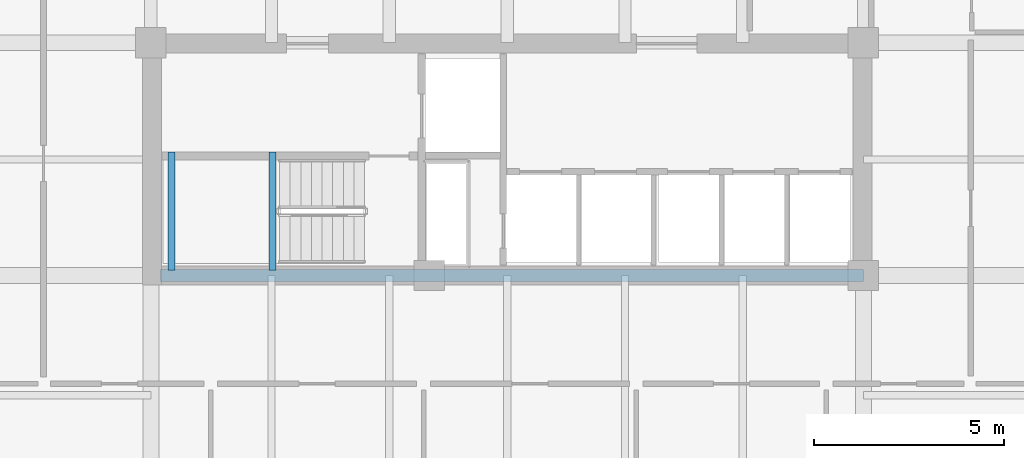
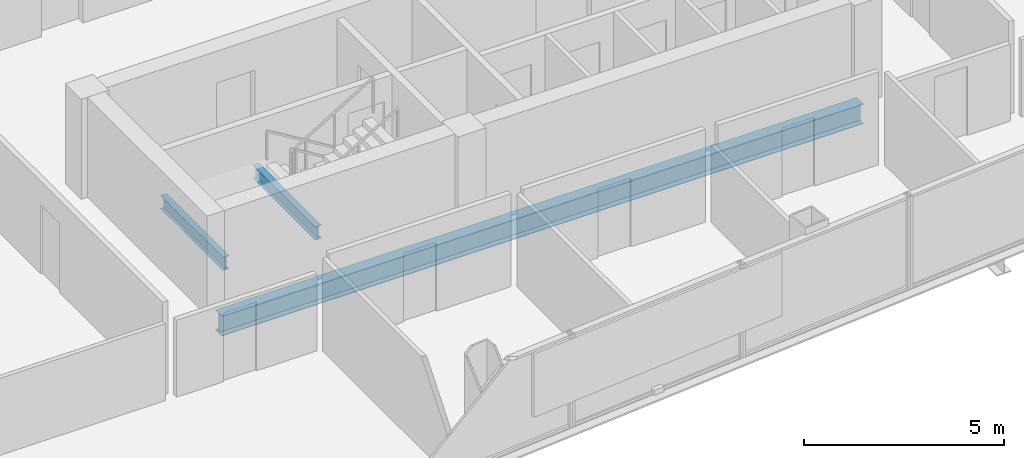
# One storey, part 5 of 22: 3 beams.
"""IFC4 building model written with IfcOpenShell, lengths in metres."""

from ifc_helpers import new_model, si_unit, direction, frame, origin, origin_2d, place, context, subcontext, project, spatial, i_section, extrude, material, material_profile, profile_set, type_object, element, save


model = new_model("IFC4")

# Units and contexts
model_context = context("Model", 3, precision=1e-05, world=origin(), true_north=direction((0.0, 1.0)))
body_context = subcontext(model_context, "Body", "Model", "MODEL_VIEW")
ifc_project = project(units=[si_unit("LENGTHUNIT", "METRE"), si_unit("AREAUNIT", "SQUARE_METRE"), si_unit("VOLUMEUNIT", "CUBIC_METRE"), si_unit("PLANEANGLEUNIT", "RADIAN"), si_unit("MASSUNIT", "GRAM", prefix="KILO")], contexts=[model_context])

# Site, building, storey
site_placement = place(None, origin())
site = spatial("IfcSite", under=ifc_project, at=site_placement, CompositionType="ELEMENT")
building_placement = place(site_placement, origin())
building = spatial("IfcBuilding", under=site, at=building_placement, Name="Qhalaya Broadcast Tower", CompositionType="ELEMENT")
storey_placement = place(building_placement, frame((0.0, 0.0, 165.300048828125)))
storey = spatial("IfcBuildingStorey", under=building, at=storey_placement, Name="L48", CompositionType="ELEMENT", Elevation=165.300048828125)

# Beams
ifc_material = material(Name="Structural Steel ASTM A992 Grade 50", Category="steel")
ifc_material_profile_1 = material_profile(ifc_material, i_section(OverallWidth=0.323974609375, OverallDepth=0.612060546875, WebThickness=0.0126953125, FlangeThickness=0.01904296875, at=origin_2d()), Name="W24X104")
ifc_profile_set_1 = profile_set([ifc_material_profile_1], Name="Structural Steel ASTM A992 Grade 50")
beam_type_1 = type_object("IfcBeamType", Name="Core Frame Tie Beam B04", PredefinedType="BEAM", material=ifc_profile_set_1)
beam_placement = place(storey_placement, frame((-9.1201171875, -8.75, -0.526123046875), z_axis=(1.0, 0.0, 0.0), x_axis=(0.0, 1.0, 0.0)))
element("IfcBeam", 1, at=beam_placement, inside=storey, type_object=beam_type_1, Name="L48 B04 L48-CCS3", PredefinedType="BEAM", context=body_context, shape_type="SweptSolid", body=[
    extrude(i_section(OverallWidth=0.323974609375, OverallDepth=0.612060546875, WebThickness=0.0126953125, FlangeThickness=0.01904296875, at=origin_2d()), origin(), (0.0, 0.0, 1.0), 18.4951171875),
])
ifc_material_profile_2 = material_profile(ifc_material, i_section(OverallWidth=0.177978515625, OverallDepth=0.406005859375, WebThickness=0.0078125, FlangeThickness=0.0126953125, at=origin_2d()), Name="W16X40")
ifc_profile_set_2 = profile_set([ifc_material_profile_2], Name="Structural Steel ASTM A992 Grade 50")
beam_type_2 = type_object("IfcBeamType", Name="Upper Perimeter Spandrel Beam SP2", PredefinedType="SPANDREL", material=ifc_profile_set_2)
for number, where, z_axis, x_axis, name in (
    (2, (-8.830078125, -8.6201171875, 1.1220703125), (0.0, 1.0, 0.0), (-1.0, 0.0, 0.0), "L48 ST-2 Half-Landing Bearer Beam 1"),
    (3, (-6.175048828125, -8.6201171875, 1.1220703125), (0.0, 1.0, 0.0), (-1.0, 0.0, 0.0), "L48 ST-2 Half-Landing Bearer Beam 2"),
):
    element("IfcBeam", number, at=place(storey_placement, frame(where, z_axis=z_axis, x_axis=x_axis)), inside=storey, type_object=beam_type_2, Name=name, PredefinedType="SPANDREL", context=body_context, shape_type="SweptSolid", body=[
        extrude(i_section(OverallWidth=0.177978515625, OverallDepth=0.406005859375, WebThickness=0.0078125, FlangeThickness=0.0126953125, at=origin_2d()), origin(), (0.0, 0.0, 1.0), 3.1201171875),
    ])

save(model, "model.ifc")
